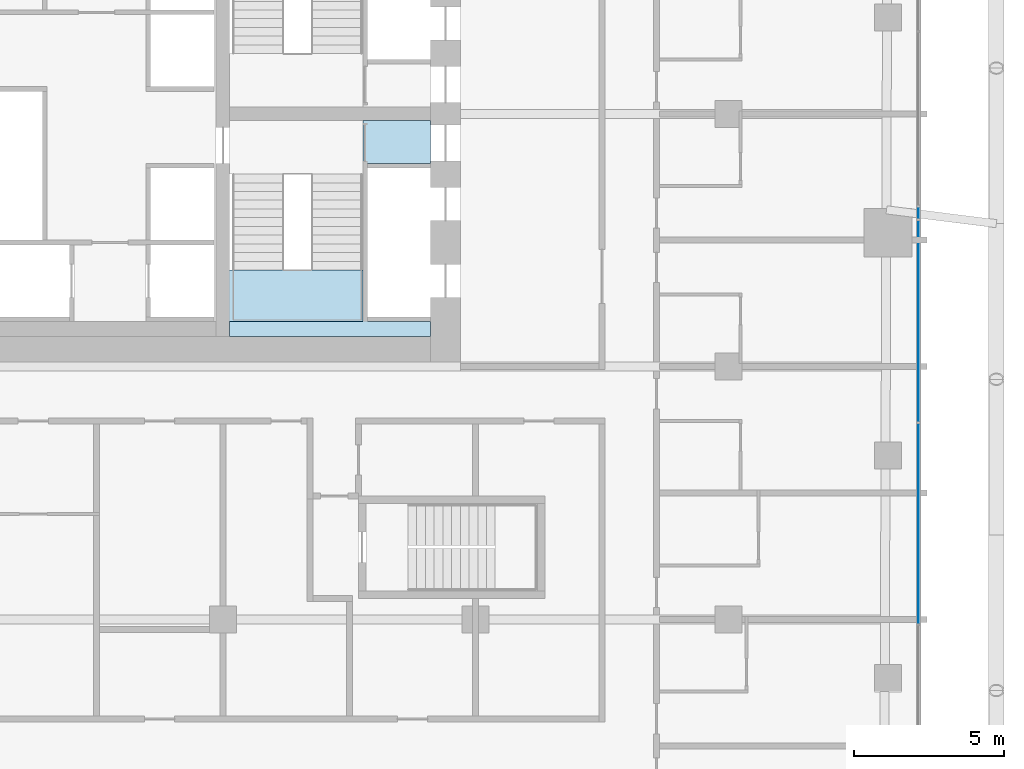
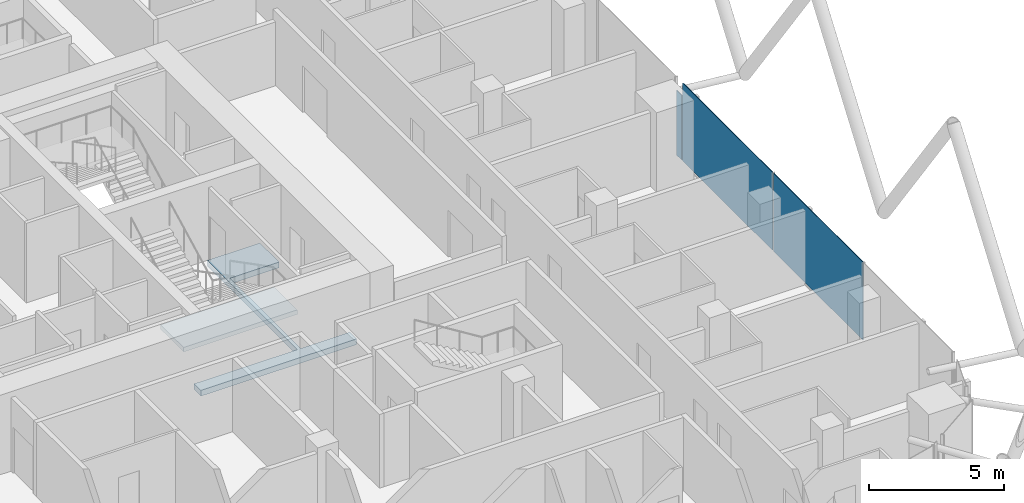
# One storey, part 23 of 36: 3 plates, 2 slabs, 3 elements without a shape of their own.
"""IFC4 building model written with IfcOpenShell, lengths in metres."""

from ifc_helpers import new_model, si_unit, direction, frame, origin, origin_2d, place, context, subcontext, project, spatial, polyline, rectangle, outline, extrude, material, layer, layer_set, type_object, element, aggregate, save


model = new_model("IFC4")

# Units and contexts
model_context = context("Model", 3, precision=1e-05, world=origin(), true_north=direction((0.0, 1.0)))
body_context = subcontext(model_context, "Body", "Model", "MODEL_VIEW")
ifc_project = project(units=[si_unit("LENGTHUNIT", "METRE"), si_unit("AREAUNIT", "SQUARE_METRE"), si_unit("VOLUMEUNIT", "CUBIC_METRE"), si_unit("PLANEANGLEUNIT", "RADIAN"), si_unit("MASSUNIT", "GRAM", prefix="KILO")], contexts=[model_context])

# Site, building, storey
site_placement = place(None, origin())
site = spatial("IfcSite", under=ifc_project, at=site_placement, CompositionType="ELEMENT")
building_placement = place(site_placement, origin())
building = spatial("IfcBuilding", under=site, at=building_placement, Name="Marenta Gate Hotel Tower", CompositionType="ELEMENT")
storey_placement = place(building_placement, frame((0.0, 0.0, 144.5)))
storey = spatial("IfcBuildingStorey", under=building, at=storey_placement, Name="L33", CompositionType="ELEMENT", Elevation=144.5)

# Slab
ifc_material_1 = material(Name="Concrete C40", Category="concrete")
ifc_layer_1 = layer(ifc_material_1, 0.260009765625)
ifc_layer_set_1 = layer_set([ifc_layer_1], Name="Concrete C40")
slab_type_1 = type_object("IfcSlabType", Name="Core floor slab 260", PredefinedType="FLOOR", material=ifc_layer_set_1)
slab_1_placement = place(storey_placement, frame((0.0, 0.0, -0.260009765625)))
element("IfcSlab", 1, at=slab_1_placement, inside=storey, type_object=slab_type_1, Name="L33-CF-2", PredefinedType="FLOOR", context=body_context, shape_type="SweptSolid", body=[
    extrude(outline(polyline([(8.85009765625, 1.5), (8.85009765625, 6.39990234375), (8.85009765625, 8.10009765625), (8.85009765625, 8.175048828125), (11.10009765625, 8.175048828125), (11.10009765625, 6.75), (9.0, 6.75), (9.0, 6.60009765625), (9.0, 4.199951171875), (9.0, 4.050048828125), (9.0, 1.64990234375), (9.0, 1.5), (11.10009765625, 1.5), (11.10009765625, 1.0), (4.425048828125, 1.0), (4.425048828125, 1.5), (8.85009765625, 1.5)])), origin(), (0.0, 0.0, 1.0), 0.260009765625),
])

# Stair, slab
ifc_material_2 = material(Name="Concrete C40", Category="concrete")
stair_type = type_object("IfcStairType", Name="Core exit stair 1700 wide", PredefinedType="HALF_TURN_STAIR", material=ifc_material_2)
stair_placement = place(storey_placement, origin())
stair = element("IfcStair", 2, at=stair_placement, inside=storey, type_object=stair_type, Name="Exit stair 3", PredefinedType="HALF_TURN_STAIR")
ifc_material_3 = material(Name="Concrete C40", Category="concrete")
ifc_layer_2 = layer(ifc_material_3, 0.199951171875)
ifc_layer_set_2 = layer_set([ifc_layer_2], Name="Concrete C40")
slab_type_2 = type_object("IfcSlabType", Name="Core stair landing 200", PredefinedType="LANDING", material=ifc_layer_set_2)
slab_2_placement = place(storey_placement, frame((0.0, 0.0, 1.60009765625)))
slab_2 = element("IfcSlab", 3, at=slab_2_placement, type_object=slab_type_2, Name="SL-200 ST3 landing 1", PredefinedType="LANDING", context=body_context, shape_type="SweptSolid", body=[
    extrude(outline(polyline([(3.97509765625, 1.5), (8.85009765625, 1.5), (8.85009765625, 3.2099609375), (3.97509765625, 3.2099609375), (3.97509765625, 1.5)])), origin(), (0.0, 0.0, 1.0), 0.199951171875),
])
aggregate(stair, [slab_2])

# Curtain wall, plates
ifc_material_4 = material(Name="Tinted insulated glass in bronze anodised frame", Category="glass")
ifc_layer_3 = layer(ifc_material_4, 0.1201171875)
ifc_layer_set_3 = layer_set([ifc_layer_3], Name="Tinted insulated glass in bronze anodised frame")
curtain_wall_type = type_object("IfcCurtainWallType", Name="Tower unitised curtain wall CW1", PredefinedType="NOTDEFINED", material=ifc_layer_set_3)
curtain_wall_1_placement = place(storey_placement, origin())
curtain_wall_1 = element("IfcCurtainWall", 4, at=curtain_wall_1_placement, inside=storey, type_object=curtain_wall_type, Name="CW1 run G33", PredefinedType="NOTDEFINED")
ifc_material_5 = material(Name="Tinted insulated glass", Category="glass")
ifc_layer_4 = layer(ifc_material_5, 0.028076171875)
ifc_layer_set_4 = layer_set([ifc_layer_4], Name="Tinted insulated glass")
plate_type = type_object("IfcPlateType", Name="Glass panel CW1 28 mm tinted insulated unit", PredefinedType="CURTAIN_PANEL", material=ifc_layer_set_4)
plate_1_placement = place(storey_placement, frame((27.31396484375, -5.2138671875, 0.06005859375), z_axis=(0.0, 0.0, 1.0), x_axis=(0.0, 1.0, 0.0)))
plate_1 = element("IfcPlate", 5, at=plate_1_placement, type_object=plate_type, Name="CW1 panel 2.1", PredefinedType="CURTAIN_PANEL", context=body_context, shape_type="SweptSolid", body=[
    extrude(rectangle(XDim=6.647216796875, YDim=0.028076171875, at=origin_2d()), origin(), (0.0, 0.0, 1.0), 3.5400390625),
])
plate_2_placement = place(storey_placement, frame((27.31396484375, 1.50830078125, 0.06005859375), z_axis=(0.0, 0.0, 1.0), x_axis=(0.0, 1.0, 0.0)))
plate_2 = element("IfcPlate", 6, at=plate_2_placement, type_object=plate_type, Name="CW1 panel 3.1", PredefinedType="CURTAIN_PANEL", context=body_context, shape_type="SweptSolid", body=[
    extrude(rectangle(XDim=6.67724609375, YDim=0.028076171875, at=origin_2d()), origin(), (0.0, 0.0, 1.0), 3.5400390625),
])
aggregate(curtain_wall_1, [plate_1, plate_2])

# Curtain wall, plate
curtain_wall_2_placement = place(storey_placement, origin())
curtain_wall_2 = element("IfcCurtainWall", 7, at=curtain_wall_2_placement, inside=storey, type_object=curtain_wall_type, Name="CW1 run G34", PredefinedType="NOTDEFINED")
plate_3_placement = place(storey_placement, frame((27.31396484375, 5.10546875, 0.06005859375), z_axis=(0.0, 0.0, 1.0), x_axis=(0.0, 1.0, 0.0)))
plate_3 = element("IfcPlate", 8, at=plate_3_placement, type_object=plate_type, Name="CW1 panel 1.1", PredefinedType="CURTAIN_PANEL", context=body_context, shape_type="SweptSolid", body=[
    extrude(rectangle(XDim=0.396484375, YDim=0.028076171875, at=origin_2d()), origin(), (0.0, 0.0, 1.0), 2.9404296875),
])
aggregate(curtain_wall_2, [plate_3])

save(model, "model.ifc")
